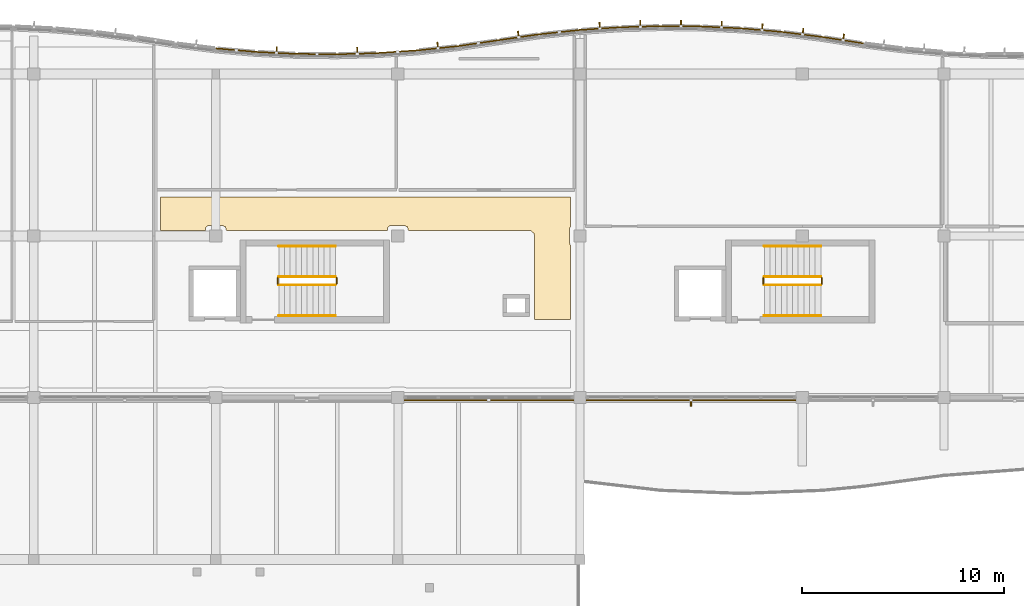
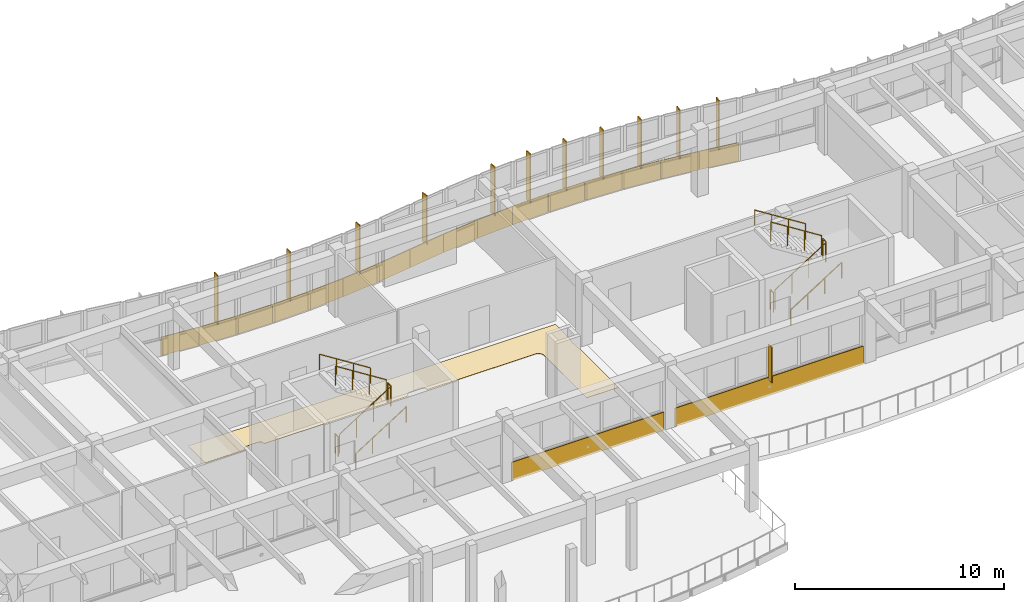
# One storey, part 85 of 89: 19 coverings, 12 railings, 12 shading devices.
"""IFC4 building model written with IfcOpenShell, lengths in metres."""

from ifc_helpers import new_model, si_unit, direction, frame, origin, origin_2d, place, context, subcontext, project, spatial, polyline, rectangle, circle, outline, extrude, material, layer, layer_set, type_object, element, save


model = new_model("IFC4")

# Units and contexts
model_context = context("Model", 3, precision=1e-05, world=origin(), true_north=direction((0.0, 1.0)))
body_context = subcontext(model_context, "Body", "Model", "MODEL_VIEW")
ifc_project = project(units=[si_unit("LENGTHUNIT", "METRE"), si_unit("AREAUNIT", "SQUARE_METRE"), si_unit("VOLUMEUNIT", "CUBIC_METRE"), si_unit("PLANEANGLEUNIT", "RADIAN"), si_unit("MASSUNIT", "GRAM", prefix="KILO")], contexts=[model_context])

# Site, building, storey
site_placement = place(None, origin())
site = spatial("IfcSite", under=ifc_project, at=site_placement, CompositionType="ELEMENT")
building_placement = place(site_placement, origin())
building = spatial("IfcBuilding", under=site, at=building_placement, Name="Tonlespit Floodbar School", CompositionType="ELEMENT")
storey_placement = place(building_placement, frame((0.0, 0.0, 4.5)))
storey = spatial("IfcBuildingStorey", under=building, at=storey_placement, Name="L01", CompositionType="ELEMENT", Elevation=4.5)

# Coverings
ifc_material_1 = material(Name="White Architectural Aluminium", Category="aluminium")
ifc_layer_1 = layer(ifc_material_1, 0.050048828125)
ifc_layer_set_1 = layer_set([ifc_layer_1], Name="White Architectural Aluminium")
covering_type_1 = type_object("IfcCoveringType", Name="Cladding_WhiteBand_50", PredefinedType="CLADDING", material=ifc_layer_set_1)
covering_1_placement = place(storey_placement, frame((0.0, 0.0, -0.1201171875)))
element("IfcCovering", 1, at=covering_1_placement, inside=storey, type_object=covering_type_1, Name="L01 curved white spandrel cladding 0075", PredefinedType="CLADDING", context=body_context, shape_type="SweptSolid", body=[
    extrude(outline(polyline([(98.0087890625, 121.241943359375), (100.0087890625, 121.068115234375), (100.012939453125, 121.117919921875), (98.012939453125, 121.291748046875), (98.0087890625, 121.241943359375)])), origin(), (0.0, 0.0, 1.0), 1.070068359375),
])
covering_2_placement = place(storey_placement, frame((0.0, 0.0, -0.1201171875)))
element("IfcCovering", 2, at=covering_2_placement, inside=storey, type_object=covering_type_1, Name="L01 curved white spandrel cladding 0076", PredefinedType="CLADDING", context=body_context, shape_type="SweptSolid", body=[
    extrude(outline(polyline([(100.0048828125, 121.068359375), (102.0048828125, 120.97216796875), (102.007080078125, 121.02197265625), (100.007080078125, 121.118408203125), (100.0048828125, 121.068359375)])), origin(), (0.0, 0.0, 1.0), 1.070068359375),
])
covering_3_placement = place(storey_placement, frame((0.0, 0.0, -0.1201171875)))
element("IfcCovering", 3, at=covering_3_placement, inside=storey, type_object=covering_type_1, Name="L01 curved white spandrel cladding 0077", PredefinedType="CLADDING", context=body_context, shape_type="SweptSolid", body=[
    extrude(outline(polyline([(102.0009765625, 120.97216796875), (104.0009765625, 120.952880859375), (104.00146484375, 121.0029296875), (102.00146484375, 121.022216796875), (102.0009765625, 120.97216796875)])), origin(), (0.0, 0.0, 1.0), 1.070068359375),
])
covering_4_placement = place(storey_placement, frame((0.0, 0.0, -0.1201171875)))
element("IfcCovering", 4, at=covering_4_placement, inside=storey, type_object=covering_type_1, Name="L01 curved white spandrel cladding 0078", PredefinedType="CLADDING", context=body_context, shape_type="SweptSolid", body=[
    extrude(outline(polyline([(103.9970703125, 120.952880859375), (105.9970703125, 121.0107421875), (105.99560546875, 121.060791015625), (103.99560546875, 121.0029296875), (103.9970703125, 120.952880859375)])), origin(), (0.0, 0.0, 1.0), 1.070068359375),
])
covering_5_placement = place(storey_placement, frame((0.0, 0.0, -0.1201171875)))
element("IfcCovering", 5, at=covering_5_placement, inside=storey, type_object=covering_type_1, Name="L01 curved white spandrel cladding 0079", PredefinedType="CLADDING", context=body_context, shape_type="SweptSolid", body=[
    extrude(outline(polyline([(105.993408203125, 121.010498046875), (107.993408203125, 121.1455078125), (107.989990234375, 121.1953125), (105.989990234375, 121.060302734375), (105.993408203125, 121.010498046875)])), origin(), (0.0, 0.0, 1.0), 1.070068359375),
])
covering_6_placement = place(storey_placement, frame((0.0, 0.0, -0.1201171875)))
element("IfcCovering", 6, at=covering_6_placement, inside=storey, type_object=covering_type_1, Name="L01 curved white spandrel cladding 0080", PredefinedType="CLADDING", context=body_context, shape_type="SweptSolid", body=[
    extrude(outline(polyline([(107.989501953125, 121.14501953125), (109.989501953125, 121.35791015625), (109.984130859375, 121.407470703125), (107.984130859375, 121.19482421875), (107.989501953125, 121.14501953125)])), origin(), (0.0, 0.0, 1.0), 1.070068359375),
])
covering_7_placement = place(storey_placement, frame((0.0, 0.0, -0.1201171875)))
element("IfcCovering", 7, at=covering_7_placement, inside=storey, type_object=covering_type_1, Name="L01 curved white spandrel cladding 0081", PredefinedType="CLADDING", context=body_context, shape_type="SweptSolid", body=[
    extrude(outline(polyline([(109.985595703125, 121.357421875), (111.985595703125, 121.64892578125), (111.978515625, 121.698486328125), (109.978515625, 121.406982421875), (109.985595703125, 121.357421875)])), origin(), (0.0, 0.0, 1.0), 1.070068359375),
])
covering_8_placement = place(storey_placement, frame((0.0, 0.0, -0.1201171875)))
element("IfcCovering", 8, at=covering_8_placement, inside=storey, type_object=covering_type_1, Name="L01 curved white spandrel cladding 0082", PredefinedType="CLADDING", context=body_context, shape_type="SweptSolid", body=[
    extrude(outline(polyline([(111.985595703125, 121.64892578125), (113.985595703125, 121.940673828125), (113.978515625, 121.989990234375), (111.978515625, 121.698486328125), (111.985595703125, 121.64892578125)])), origin(), (0.0, 0.0, 1.0), 1.070068359375),
])
covering_9_placement = place(storey_placement, frame((0.0, 0.0, -0.1201171875)))
element("IfcCovering", 9, at=covering_9_placement, inside=storey, type_object=covering_type_1, Name="L01 curved white spandrel cladding 0083", PredefinedType="CLADDING", context=body_context, shape_type="SweptSolid", body=[
    extrude(outline(polyline([(113.989501953125, 121.94091796875), (115.989501953125, 122.15380859375), (115.984130859375, 122.203369140625), (113.984130859375, 121.99072265625), (113.989501953125, 121.94091796875)])), origin(), (0.0, 0.0, 1.0), 1.070068359375),
])
covering_10_placement = place(storey_placement, frame((0.0, 0.0, -0.1201171875)))
element("IfcCovering", 10, at=covering_10_placement, inside=storey, type_object=covering_type_1, Name="L01 curved white spandrel cladding 0084", PredefinedType="CLADDING", context=body_context, shape_type="SweptSolid", body=[
    extrude(outline(polyline([(115.699951171875, 103.89990234375), (107.300048828125, 103.89990234375), (107.300048828125, 103.85009765625), (115.699951171875, 103.85009765625), (115.699951171875, 103.89990234375)])), origin(), (0.0, 0.0, 1.0), 1.070068359375),
])
covering_11_placement = place(storey_placement, frame((0.0, 0.0, -0.1201171875)))
element("IfcCovering", 11, at=covering_11_placement, inside=storey, type_object=covering_type_1, Name="L01 curved white spandrel cladding 0627", PredefinedType="CLADDING", context=body_context, shape_type="SweptSolid", body=[
    extrude(outline(polyline([(115.993408203125, 122.154052734375), (117.993408203125, 122.2890625), (117.989990234375, 122.339111328125), (115.989990234375, 122.2041015625), (115.993408203125, 122.154052734375)])), origin(), (0.0, 0.0, 1.0), 1.070068359375),
])
covering_12_placement = place(storey_placement, frame((0.0, 0.0, -0.1201171875)))
element("IfcCovering", 12, at=covering_12_placement, inside=storey, type_object=covering_type_1, Name="L01 curved white spandrel cladding 0628", PredefinedType="CLADDING", context=body_context, shape_type="SweptSolid", body=[
    extrude(outline(polyline([(117.9970703125, 122.289306640625), (119.9970703125, 122.346923828125), (119.99560546875, 122.39697265625), (117.99560546875, 122.33935546875), (117.9970703125, 122.289306640625)])), origin(), (0.0, 0.0, 1.0), 1.070068359375),
])
covering_13_placement = place(storey_placement, frame((0.0, 0.0, -0.1201171875)))
element("IfcCovering", 13, at=covering_13_placement, inside=storey, type_object=covering_type_1, Name="L01 curved white spandrel cladding 0629", PredefinedType="CLADDING", context=body_context, shape_type="SweptSolid", body=[
    extrude(outline(polyline([(120.0009765625, 122.346923828125), (122.0009765625, 122.327880859375), (122.00146484375, 122.377685546875), (120.00146484375, 122.39697265625), (120.0009765625, 122.346923828125)])), origin(), (0.0, 0.0, 1.0), 1.070068359375),
])
covering_14_placement = place(storey_placement, frame((0.0, 0.0, -0.1201171875)))
element("IfcCovering", 14, at=covering_14_placement, inside=storey, type_object=covering_type_1, Name="L01 curved white spandrel cladding 0630", PredefinedType="CLADDING", context=body_context, shape_type="SweptSolid", body=[
    extrude(outline(polyline([(122.0048828125, 122.32763671875), (124.0048828125, 122.2314453125), (124.007080078125, 122.28125), (122.007080078125, 122.377685546875), (122.0048828125, 122.32763671875)])), origin(), (0.0, 0.0, 1.0), 1.070068359375),
])
covering_15_placement = place(storey_placement, frame((0.0, 0.0, -0.1201171875)))
element("IfcCovering", 15, at=covering_15_placement, inside=storey, type_object=covering_type_1, Name="L01 curved white spandrel cladding 0631", PredefinedType="CLADDING", context=body_context, shape_type="SweptSolid", body=[
    extrude(outline(polyline([(124.0087890625, 122.231201171875), (126.0087890625, 122.057373046875), (126.012939453125, 122.107177734375), (124.012939453125, 122.281005859375), (124.0087890625, 122.231201171875)])), origin(), (0.0, 0.0, 1.0), 1.070068359375),
])
covering_16_placement = place(storey_placement, frame((0.0, 0.0, -0.1201171875)))
element("IfcCovering", 16, at=covering_16_placement, inside=storey, type_object=covering_type_1, Name="L01 curved white spandrel cladding 0632", PredefinedType="CLADDING", context=body_context, shape_type="SweptSolid", body=[
    extrude(outline(polyline([(126.012451171875, 122.056884765625), (128.012451171875, 121.804931640625), (128.018798828125, 121.8544921875), (126.018798828125, 122.1064453125), (126.012451171875, 122.056884765625)])), origin(), (0.0, 0.0, 1.0), 1.070068359375),
])
covering_17_placement = place(storey_placement, frame((0.0, 0.0, -0.1201171875)))
element("IfcCovering", 17, at=covering_17_placement, inside=storey, type_object=covering_type_1, Name="L01 curved white spandrel cladding 0633", PredefinedType="CLADDING", context=body_context, shape_type="SweptSolid", body=[
    extrude(outline(polyline([(128.015380859375, 121.804443359375), (130.015380859375, 121.4931640625), (130.023193359375, 121.54248046875), (128.023193359375, 121.85400390625), (128.015380859375, 121.804443359375)])), origin(), (0.0, 0.0, 1.0), 1.070068359375),
])
covering_18_placement = place(storey_placement, frame((0.0, 0.0, -0.1201171875)))
element("IfcCovering", 18, at=covering_18_placement, inside=storey, type_object=covering_type_1, Name="L01 curved white spandrel cladding 0660", PredefinedType="CLADDING", context=body_context, shape_type="SweptSolid", body=[
    extrude(outline(polyline([(126.699951171875, 103.89990234375), (116.300048828125, 103.89990234375), (116.300048828125, 103.85009765625), (126.699951171875, 103.85009765625), (126.699951171875, 103.89990234375)])), origin(), (0.0, 0.0, 1.0), 1.070068359375),
])
ifc_material_2 = material(Name="Terrazzo Tile")
ifc_layer_2 = layer(ifc_material_2, 0.02001953125)
ifc_layer_set_2 = layer_set([ifc_layer_2], Name="Terrazzo Tile")
covering_type_2 = type_object("IfcCoveringType", Name="Flooring_Terrazzo_20", PredefinedType="FLOORING", material=ifc_layer_set_2)
covering_19_placement = place(storey_placement, origin())
element("IfcCovering", 19, at=covering_19_placement, inside=storey, type_object=covering_type_2, Name="L01 East Lobby Passage L01 terrazzo flooring", PredefinedType="FLOORING", context=body_context, shape_type="SweptSolid", body=[
    extrude(outline(polyline([(115.530029296875, 111.548095703125), (115.530029296875, 107.8701171875), (113.77001953125, 107.8701171875), (113.77001953125, 112.0), (113.724609375, 112.126708984375), (113.57177734375, 112.260009765625), (107.52001953125, 112.27001953125), (107.474609375, 112.447021484375), (107.320068359375, 112.52001953125), (106.621826171875, 112.511474609375), (106.503662109375, 112.414306640625), (106.47998046875, 112.27001953125), (98.52001953125, 112.27001953125), (98.474609375, 112.447021484375), (98.320068359375, 112.52001953125), (97.621826171875, 112.511474609375), (97.503662109375, 112.414306640625), (97.47998046875, 112.27001953125), (95.27001953125, 112.27001953125), (95.27001953125, 113.929931640625), (115.530029296875, 113.929931640625), (115.530029296875, 112.451904296875), (115.47998046875, 112.320068359375), (115.48095703125, 111.660400390625), (115.530029296875, 111.548095703125)])), origin(), (0.0, 0.0, 1.0), 0.02001953125),
])

# Railings
ifc_material_3 = material(Name="Galvanised Steel", Category="steel")
railing_type_1 = type_object("IfcRailingType", Name="Guard_Int_1150", PredefinedType="BALUSTRADE", material=ifc_material_3)
railing_1_placement = place(storey_placement, frame((101.1201171875, 109.570068359375, 0.17724609375)))
element("IfcRailing", 20, at=railing_1_placement, inside=storey, type_object=railing_type_1, Name="L01 ST-C2 stair guard 1", PredefinedType="BALUSTRADE", context=body_context, shape_type="SweptSolid", body=[
    extrude(circle(Radius=0.02392578125, at=origin_2d()), frame((0.0, 0.0, 1.1259765625), z_axis=(0.844887892834, 0.0, 0.53494340686), x_axis=(0.0, 1.0, 0.0)), (0.0, 0.0, 1.0), 3.313720703125),
    extrude(circle(Radius=0.02099609375, at=origin_2d()), origin(), (0.0, 0.0, 1.0), 1.101806640625),
    extrude(circle(Radius=0.02099609375, at=origin_2d()), frame((0.933349609375, 0.0, 0.5908203125)), (0.0, 0.0, 1.0), 1.101806640625),
    extrude(circle(Radius=0.02099609375, at=origin_2d()), frame((1.866455078125, 0.0, 1.181884765625)), (0.0, 0.0, 1.0), 1.101806640625),
    extrude(circle(Radius=0.02099609375, at=origin_2d()), frame((2.7998046875, 0.0, 1.772705078125)), (0.0, 0.0, 1.0), 1.101806640625),
])
railing_2_placement = place(storey_placement, frame((103.969970703125, 109.6201171875, 1.949951171875)))
element("IfcRailing", 21, at=railing_2_placement, inside=storey, type_object=railing_type_1, Name="L01 ST-C2 stair guard 2", PredefinedType="BALUSTRADE", context=body_context, shape_type="SweptSolid", body=[
    extrude(circle(Radius=0.02392578125, at=origin_2d()), frame((0.0, 0.0, 1.1259765625), z_axis=(0.0, 1.0, 0.0), x_axis=(-1.0, 0.0, 0.0)), (0.0, 0.0, 1.0), 0.2998046875),
    extrude(circle(Radius=0.02099609375, at=origin_2d()), origin(), (0.0, 0.0, 1.0), 1.101806640625),
    extrude(circle(Radius=0.02099609375, at=origin_2d()), frame((0.0, 0.2998046875, 0.0)), (0.0, 0.0, 1.0), 1.101806640625),
])
railing_3_placement = place(storey_placement, frame((103.919921875, 109.969970703125, 2.127197265625)))
element("IfcRailing", 22, at=railing_3_placement, inside=storey, type_object=railing_type_1, Name="L01 ST-C2 stair guard 3", PredefinedType="BALUSTRADE", context=body_context, shape_type="SweptSolid", body=[
    extrude(circle(Radius=0.02392578125, at=origin_2d()), frame((0.0, 0.0, 1.1259765625), z_axis=(-0.844887892834, 0.0, 0.53494340686), x_axis=(0.0, -1.0, 0.0)), (0.0, 0.0, 1.0), 3.313720703125),
    extrude(circle(Radius=0.02099609375, at=origin_2d()), origin(), (0.0, 0.0, 1.0), 1.101806640625),
    extrude(circle(Radius=0.02099609375, at=origin_2d()), frame((-0.933349609375, 0.0, 0.5908203125)), (0.0, 0.0, 1.0), 1.101806640625),
    extrude(circle(Radius=0.02099609375, at=origin_2d()), frame((-1.866455078125, 0.0, 1.181884765625)), (0.0, 0.0, 1.0), 1.101806640625),
    extrude(circle(Radius=0.02099609375, at=origin_2d()), frame((-2.7998046875, 0.0, 1.772705078125)), (0.0, 0.0, 1.0), 1.101806640625),
])
railing_4_placement = place(storey_placement, frame((101.070068359375, 109.6201171875, 0.0)))
element("IfcRailing", 23, at=railing_4_placement, inside=storey, type_object=railing_type_1, Name="L01 ST-C2 stair guard 4", PredefinedType="BALUSTRADE", context=body_context, shape_type="SweptSolid", body=[
    extrude(circle(Radius=0.02392578125, at=origin_2d()), frame((0.0, 0.0, 1.1259765625), z_axis=(0.0, 1.0, 0.0), x_axis=(-1.0, 0.0, 0.0)), (0.0, 0.0, 1.0), 0.2998046875),
    extrude(circle(Radius=0.02099609375, at=origin_2d()), origin(), (0.0, 0.0, 1.0), 1.101806640625),
    extrude(circle(Radius=0.02099609375, at=origin_2d()), frame((0.0, 0.2998046875, 0.0)), (0.0, 0.0, 1.0), 1.101806640625),
])
railing_5_placement = place(storey_placement, frame((125.1201171875, 109.570068359375, 0.17724609375)))
element("IfcRailing", 24, at=railing_5_placement, inside=storey, type_object=railing_type_1, Name="L01 ST-C4 stair guard 1", PredefinedType="BALUSTRADE", context=body_context, shape_type="SweptSolid", body=[
    extrude(circle(Radius=0.02392578125, at=origin_2d()), frame((0.0, 0.0, 1.1259765625), z_axis=(0.844887892834, 0.0, 0.53494340686), x_axis=(0.0, 1.0, 0.0)), (0.0, 0.0, 1.0), 3.313720703125),
    extrude(circle(Radius=0.02099609375, at=origin_2d()), origin(), (0.0, 0.0, 1.0), 1.101806640625),
    extrude(circle(Radius=0.02099609375, at=origin_2d()), frame((0.933349609375, 0.0, 0.5908203125)), (0.0, 0.0, 1.0), 1.101806640625),
    extrude(circle(Radius=0.02099609375, at=origin_2d()), frame((1.866455078125, 0.0, 1.181884765625)), (0.0, 0.0, 1.0), 1.101806640625),
    extrude(circle(Radius=0.02099609375, at=origin_2d()), frame((2.7998046875, 0.0, 1.772705078125)), (0.0, 0.0, 1.0), 1.101806640625),
])
railing_6_placement = place(storey_placement, frame((127.969970703125, 109.6201171875, 1.949951171875)))
element("IfcRailing", 25, at=railing_6_placement, inside=storey, type_object=railing_type_1, Name="L01 ST-C4 stair guard 2", PredefinedType="BALUSTRADE", context=body_context, shape_type="SweptSolid", body=[
    extrude(circle(Radius=0.02392578125, at=origin_2d()), frame((0.0, 0.0, 1.1259765625), z_axis=(0.0, 1.0, 0.0), x_axis=(-1.0, 0.0, 0.0)), (0.0, 0.0, 1.0), 0.2998046875),
    extrude(circle(Radius=0.02099609375, at=origin_2d()), origin(), (0.0, 0.0, 1.0), 1.101806640625),
    extrude(circle(Radius=0.02099609375, at=origin_2d()), frame((0.0, 0.2998046875, 0.0)), (0.0, 0.0, 1.0), 1.101806640625),
])
railing_7_placement = place(storey_placement, frame((127.919921875, 109.969970703125, 2.127197265625)))
element("IfcRailing", 26, at=railing_7_placement, inside=storey, type_object=railing_type_1, Name="L01 ST-C4 stair guard 3", PredefinedType="BALUSTRADE", context=body_context, shape_type="SweptSolid", body=[
    extrude(circle(Radius=0.02392578125, at=origin_2d()), frame((0.0, 0.0, 1.1259765625), z_axis=(-0.844887892834, 0.0, 0.53494340686), x_axis=(0.0, -1.0, 0.0)), (0.0, 0.0, 1.0), 3.313720703125),
    extrude(circle(Radius=0.02099609375, at=origin_2d()), origin(), (0.0, 0.0, 1.0), 1.101806640625),
    extrude(circle(Radius=0.02099609375, at=origin_2d()), frame((-0.933349609375, 0.0, 0.5908203125)), (0.0, 0.0, 1.0), 1.101806640625),
    extrude(circle(Radius=0.02099609375, at=origin_2d()), frame((-1.866455078125, 0.0, 1.181884765625)), (0.0, 0.0, 1.0), 1.101806640625),
    extrude(circle(Radius=0.02099609375, at=origin_2d()), frame((-2.7998046875, 0.0, 1.772705078125)), (0.0, 0.0, 1.0), 1.101806640625),
])
railing_8_placement = place(storey_placement, frame((125.070068359375, 109.6201171875, 0.0)))
element("IfcRailing", 27, at=railing_8_placement, inside=storey, type_object=railing_type_1, Name="L01 ST-C4 stair guard 4", PredefinedType="BALUSTRADE", context=body_context, shape_type="SweptSolid", body=[
    extrude(circle(Radius=0.02392578125, at=origin_2d()), frame((0.0, 0.0, 1.1259765625), z_axis=(0.0, 1.0, 0.0), x_axis=(-1.0, 0.0, 0.0)), (0.0, 0.0, 1.0), 0.2998046875),
    extrude(circle(Radius=0.02099609375, at=origin_2d()), origin(), (0.0, 0.0, 1.0), 1.101806640625),
    extrude(circle(Radius=0.02099609375, at=origin_2d()), frame((0.0, 0.2998046875, 0.0)), (0.0, 0.0, 1.0), 1.101806640625),
])
railing_type_2 = type_object("IfcRailingType", Name="Handrail_Int_920", PredefinedType="HANDRAIL", material=ifc_material_3)
railing_9_placement = place(storey_placement, frame((101.1201171875, 108.050048828125, 0.17724609375)))
element("IfcRailing", 28, at=railing_9_placement, inside=storey, type_object=railing_type_2, Name="L01 ST-C2 stair handrail 1", PredefinedType="HANDRAIL", context=body_context, shape_type="SweptSolid", body=[
    extrude(circle(Radius=0.02392578125, at=origin_2d()), frame((0.0, 0.0, 0.89599609375), z_axis=(0.844887892834, 0.0, 0.53494340686), x_axis=(0.0, 1.0, 0.0)), (0.0, 0.0, 1.0), 3.313720703125),
    extrude(circle(Radius=0.02099609375, at=origin_2d()), origin(), (0.0, 0.0, 1.0), 0.871826171875),
    extrude(circle(Radius=0.02099609375, at=origin_2d()), frame((0.933349609375, 0.0, 0.5908203125)), (0.0, 0.0, 1.0), 0.871826171875),
    extrude(circle(Radius=0.02099609375, at=origin_2d()), frame((1.866455078125, 0.0, 1.181884765625)), (0.0, 0.0, 1.0), 0.871826171875),
    extrude(circle(Radius=0.02099609375, at=origin_2d()), frame((2.7998046875, 0.0, 1.772705078125)), (0.0, 0.0, 1.0), 0.871826171875),
])
railing_10_placement = place(storey_placement, frame((103.919921875, 111.489990234375, 2.127197265625)))
element("IfcRailing", 29, at=railing_10_placement, inside=storey, type_object=railing_type_2, Name="L01 ST-C2 stair handrail 2", PredefinedType="HANDRAIL", context=body_context, shape_type="SweptSolid", body=[
    extrude(circle(Radius=0.02392578125, at=origin_2d()), frame((0.0, 0.0, 0.89599609375), z_axis=(-0.844887892834, 0.0, 0.53494340686), x_axis=(0.0, -1.0, 0.0)), (0.0, 0.0, 1.0), 3.313720703125),
    extrude(circle(Radius=0.02099609375, at=origin_2d()), origin(), (0.0, 0.0, 1.0), 0.871826171875),
    extrude(circle(Radius=0.02099609375, at=origin_2d()), frame((-0.933349609375, 0.0, 0.5908203125)), (0.0, 0.0, 1.0), 0.871826171875),
    extrude(circle(Radius=0.02099609375, at=origin_2d()), frame((-1.866455078125, 0.0, 1.181884765625)), (0.0, 0.0, 1.0), 0.871826171875),
    extrude(circle(Radius=0.02099609375, at=origin_2d()), frame((-2.7998046875, 0.0, 1.772705078125)), (0.0, 0.0, 1.0), 0.871826171875),
])
railing_11_placement = place(storey_placement, frame((125.1201171875, 108.050048828125, 0.17724609375)))
element("IfcRailing", 30, at=railing_11_placement, inside=storey, type_object=railing_type_2, Name="L01 ST-C4 stair handrail 1", PredefinedType="HANDRAIL", context=body_context, shape_type="SweptSolid", body=[
    extrude(circle(Radius=0.02392578125, at=origin_2d()), frame((0.0, 0.0, 0.89599609375), z_axis=(0.844887892834, 0.0, 0.53494340686), x_axis=(0.0, 1.0, 0.0)), (0.0, 0.0, 1.0), 3.313720703125),
    extrude(circle(Radius=0.02099609375, at=origin_2d()), origin(), (0.0, 0.0, 1.0), 0.871826171875),
    extrude(circle(Radius=0.02099609375, at=origin_2d()), frame((0.933349609375, 0.0, 0.5908203125)), (0.0, 0.0, 1.0), 0.871826171875),
    extrude(circle(Radius=0.02099609375, at=origin_2d()), frame((1.866455078125, 0.0, 1.181884765625)), (0.0, 0.0, 1.0), 0.871826171875),
    extrude(circle(Radius=0.02099609375, at=origin_2d()), frame((2.7998046875, 0.0, 1.772705078125)), (0.0, 0.0, 1.0), 0.871826171875),
])
railing_12_placement = place(storey_placement, frame((127.919921875, 111.489990234375, 2.127197265625)))
element("IfcRailing", 31, at=railing_12_placement, inside=storey, type_object=railing_type_2, Name="L01 ST-C4 stair handrail 2", PredefinedType="HANDRAIL", context=body_context, shape_type="SweptSolid", body=[
    extrude(circle(Radius=0.02392578125, at=origin_2d()), frame((0.0, 0.0, 0.89599609375), z_axis=(-0.844887892834, 0.0, 0.53494340686), x_axis=(0.0, -1.0, 0.0)), (0.0, 0.0, 1.0), 3.313720703125),
    extrude(circle(Radius=0.02099609375, at=origin_2d()), origin(), (0.0, 0.0, 1.0), 0.871826171875),
    extrude(circle(Radius=0.02099609375, at=origin_2d()), frame((-0.933349609375, 0.0, 0.5908203125)), (0.0, 0.0, 1.0), 0.871826171875),
    extrude(circle(Radius=0.02099609375, at=origin_2d()), frame((-1.866455078125, 0.0, 1.181884765625)), (0.0, 0.0, 1.0), 0.871826171875),
    extrude(circle(Radius=0.02099609375, at=origin_2d()), frame((-2.7998046875, 0.0, 1.772705078125)), (0.0, 0.0, 1.0), 0.871826171875),
])

# Shading devices
ifc_material_4 = material(Name="Terracotta Anodised Aluminium", Category="masonry")
ifc_layer_3 = layer(ifc_material_4, 0.06005859375)
ifc_layer_set_3 = layer_set([ifc_layer_3], Name="Terracotta Anodised Aluminium")
shading_device_type = type_object("IfcShadingDeviceType", Name="Shading_SolarFin_350", PredefinedType="USERDEFINED", material=ifc_layer_set_3)
for number, where, z_axis, x_axis, name in (
    (32, (101.012451171875, 121.179931640625, 0.800048828125), (0.0, 0.0, 1.0), (0.998842769234, -0.048094930587, 0.0), "L01 vertical solar fin 032"),
    (33, (104.992431640625, 121.1416015625, 0.800048828125), (0.0, 0.0, 1.0), (0.999584110869, 0.02883756748, 0.0), "L01 vertical solar fin 033"),
    (34, (108.972412109375, 121.41064453125, 0.800048828125), (0.0, 0.0, 1.0), (0.99439234017, 0.105753835922, 0.0), "L01 vertical solar fin 034"),
    (35, (112.96240234375, 121.953125, 0.800048828125), (0.0, 0.0, 1.0), (0.989537627347, 0.144275029245, 0.0), "L01 vertical solar fin 035"),
    (36, (116.982421875, 122.381103515625, 0.800048828125), (0.0, 0.0, 1.0), (0.997729639049, 0.067346621018, 0.0), "L01 vertical solar fin 230"),
    (37, (118.992431640625, 122.47802734375, 0.800048828125), (0.0, 0.0, 1.0), (0.999584110869, 0.02883756748, 0.0), "L01 vertical solar fin 231"),
    (38, (121.00244140625, 122.497314453125, 0.800048828125), (0.0, 0.0, 1.0), (0.999953926969, -0.009599163462, 0.0), "L01 vertical solar fin 232"),
    (39, (123.012451171875, 122.439208984375, 0.800048828125), (0.0, 0.0, 1.0), (0.998842769234, -0.048094930587, 0.0), "L01 vertical solar fin 233"),
    (40, (125.0224609375, 122.3037109375, 0.800048828125), (0.0, 0.0, 1.0), (0.996245486492, -0.086573267488, 0.0), "L01 vertical solar fin 234"),
    (41, (127.032470703125, 122.089599609375, 0.800048828125), (0.0, 0.0, 1.0), (0.99215533612, -0.125011155539, 0.0), "L01 vertical solar fin 235"),
    (42, (129.0400390625, 121.806884765625, 0.800048828125), (0.0, 0.0, 1.0), (0.988094768361, -0.153846445322, 0.0), "L01 vertical solar fin 236"),
):
    element("IfcShadingDevice", number, at=place(storey_placement, frame(where, z_axis=z_axis, x_axis=x_axis)), inside=storey, type_object=shading_device_type, Name=name, ObjectType="SOLAR FIN", PredefinedType="USERDEFINED", context=body_context, shape_type="SweptSolid", body=[
        extrude(rectangle(XDim=0.06005859375, YDim=0.35009765625, at=origin_2d()), origin(), (0.0, 0.0, 1.0), 2.85009765625),
    ])
shading_device_placement = place(storey_placement, frame((121.5, 103.739990234375, 0.800048828125), z_axis=(0.0, 0.0, 1.0), x_axis=(-1.0, 0.0, 0.0)))
element("IfcShadingDevice", 43, at=shading_device_placement, inside=storey, type_object=shading_device_type, Name="L01 vertical solar fin 262", ObjectType="SOLAR FIN", PredefinedType="USERDEFINED", context=body_context, shape_type="SweptSolid", body=[
    extrude(rectangle(XDim=0.06005859375, YDim=0.35009765625, at=origin_2d()), origin(), (0.0, 0.0, 1.0), 2.044921875),
])

save(model, "model.ifc")
